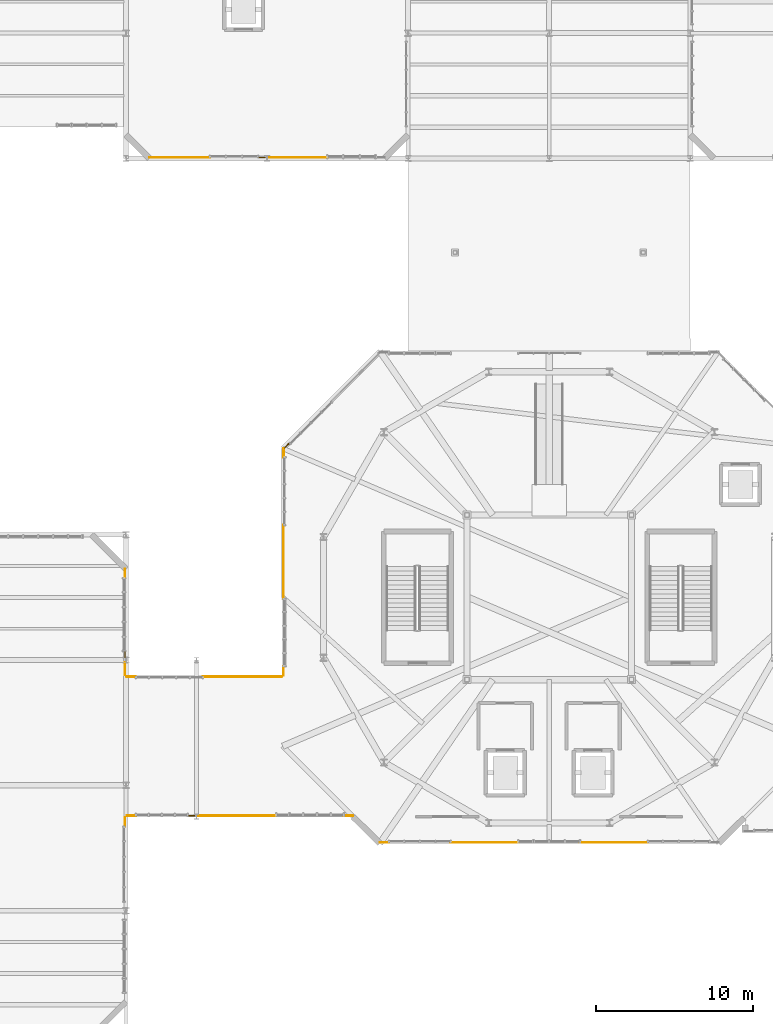
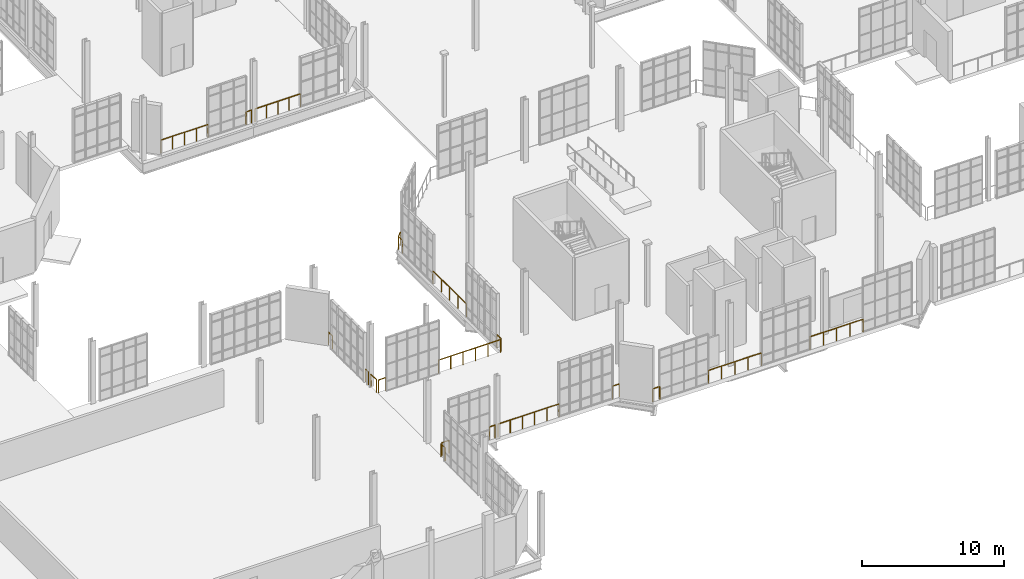
# One storey, part 182 of 189: 20 railings.
"""IFC4 building model written with IfcOpenShell, lengths in metres."""

from ifc_helpers import new_model, si_unit, direction, frame, origin, origin_2d, place, context, subcontext, project, spatial, circle, extrude, material, type_object, element, save


model = new_model("IFC4")

# Units and contexts
model_context = context("Model", 3, precision=1e-05, world=origin(), true_north=direction((0.0, 1.0)))
body_context = subcontext(model_context, "Body", "Model", "MODEL_VIEW")
ifc_project = project(units=[si_unit("LENGTHUNIT", "METRE"), si_unit("AREAUNIT", "SQUARE_METRE"), si_unit("VOLUMEUNIT", "CUBIC_METRE"), si_unit("PLANEANGLEUNIT", "RADIAN"), si_unit("MASSUNIT", "GRAM", prefix="KILO"), si_unit("THERMODYNAMICTEMPERATUREUNIT", "KELVIN"), si_unit("POWERUNIT", "WATT")], contexts=[model_context])

# Site, building, storey
site_placement = place(None, origin())
site = spatial("IfcSite", under=ifc_project, at=site_placement, CompositionType="ELEMENT")
building_placement = place(site_placement, origin())
building = spatial("IfcBuilding", under=site, at=building_placement, Name="Zelmaris Science Centre", CompositionType="ELEMENT")
storey_placement = place(building_placement, origin())
storey = spatial("IfcBuildingStorey", under=building, at=storey_placement, Name="L00", CompositionType="ELEMENT", Elevation=0.0)

# Railings
ifc_material = material(Name="Architectural bronze alloy C28000")
railing_type = type_object("IfcRailingType", Name="Balustrade GD-01 H1120", PredefinedType="BALUSTRADE", material=ifc_material)
railing_1_placement = place(storey_placement, frame((66.840087890625, 64.06005859375, 0.0)))
element("IfcRailing", 1, at=railing_1_placement, inside=storey, type_object=railing_type, Name="L00 Perimeter safety balustrade 2", PredefinedType="BALUSTRADE", context=body_context, shape_type="SweptSolid", body=[
    extrude(circle(Radius=0.02392578125, at=origin_2d()), frame((0.0, 0.0, 1.09619140625), z_axis=(-1.0, 0.0, 0.0), x_axis=(0.0, -1.0, 0.0)), (0.0, 0.0, 1.0), 3.692138671875),
    extrude(circle(Radius=0.02099609375, at=origin_2d()), origin(), (0.0, 0.0, 1.0), 1.072021484375),
    extrude(circle(Radius=0.02099609375, at=origin_2d()), frame((-0.923095703125, 0.0, 0.0)), (0.0, 0.0, 1.0), 1.072021484375),
    extrude(circle(Radius=0.02099609375, at=origin_2d()), frame((-1.84619140625, 0.0, 0.0)), (0.0, 0.0, 1.0), 1.072021484375),
    extrude(circle(Radius=0.02099609375, at=origin_2d()), frame((-2.76904296875, 0.0, 0.0)), (0.0, 0.0, 1.0), 1.072021484375),
    extrude(circle(Radius=0.02099609375, at=origin_2d()), frame((-3.692138671875, 0.0, 0.0)), (0.0, 0.0, 1.0), 1.072021484375),
])
railing_2_placement = place(storey_placement, frame((62.85205078125, 64.06005859375, 0.0)))
element("IfcRailing", 2, at=railing_2_placement, inside=storey, type_object=railing_type, Name="L00 Perimeter safety balustrade 3", PredefinedType="BALUSTRADE", context=body_context, shape_type="SweptSolid", body=[
    extrude(circle(Radius=0.02392578125, at=origin_2d()), frame((0.0, 0.0, 1.09619140625), z_axis=(-1.0, 0.0, 0.0), x_axis=(0.0, -1.0, 0.0)), (0.0, 0.0, 1.0), 0.422119140625),
    extrude(circle(Radius=0.02099609375, at=origin_2d()), origin(), (0.0, 0.0, 1.0), 1.072021484375),
    extrude(circle(Radius=0.02099609375, at=origin_2d()), frame((-0.422119140625, 0.0, 0.0)), (0.0, 0.0, 1.0), 1.072021484375),
])
railing_3_placement = place(storey_placement, frame((59.340087890625, 64.06005859375, 0.0)))
element("IfcRailing", 3, at=railing_3_placement, inside=storey, type_object=railing_type, Name="L00 Perimeter safety balustrade 4", PredefinedType="BALUSTRADE", context=body_context, shape_type="SweptSolid", body=[
    extrude(circle(Radius=0.02392578125, at=origin_2d()), frame((0.0, 0.0, 1.09619140625), z_axis=(-1.0, 0.0, 0.0), x_axis=(0.0, -1.0, 0.0)), (0.0, 0.0, 1.0), 3.840087890625),
    extrude(circle(Radius=0.02099609375, at=origin_2d()), origin(), (0.0, 0.0, 1.0), 1.072021484375),
    extrude(circle(Radius=0.02099609375, at=origin_2d()), frame((-0.9599609375, 0.0, 0.0)), (0.0, 0.0, 1.0), 1.072021484375),
    extrude(circle(Radius=0.02099609375, at=origin_2d()), frame((-1.919921875, 0.0, 0.0)), (0.0, 0.0, 1.0), 1.072021484375),
    extrude(circle(Radius=0.02099609375, at=origin_2d()), frame((-2.880126953125, 0.0, 0.0)), (0.0, 0.0, 1.0), 1.072021484375),
    extrude(circle(Radius=0.02099609375, at=origin_2d()), frame((-3.840087890625, 0.0, 0.0)), (0.0, 0.0, 1.0), 1.072021484375),
])
railing_4_placement = place(storey_placement, frame((53.93994140625, 37.800048828125, 0.0)))
element("IfcRailing", 4, at=railing_4_placement, inside=storey, type_object=railing_type, Name="L00 Perimeter safety balustrade 5", PredefinedType="BALUSTRADE", context=body_context, shape_type="SweptSolid", body=[
    extrude(circle(Radius=0.02392578125, at=origin_2d()), frame((0.0, 0.0, 1.09619140625), z_axis=(0.0, -1.0, 0.0), x_axis=(1.0, 0.0, 0.0)), (0.0, 0.0, 1.0), 0.570068359375),
    extrude(circle(Radius=0.02099609375, at=origin_2d()), origin(), (0.0, 0.0, 1.0), 1.072021484375),
    extrude(circle(Radius=0.02099609375, at=origin_2d()), frame((0.0, -0.570068359375, 0.0)), (0.0, 0.0, 1.0), 1.072021484375),
])
railing_5_placement = place(storey_placement, frame((53.93994140625, 32.570068359375, 0.0)))
element("IfcRailing", 5, at=railing_5_placement, inside=storey, type_object=railing_type, Name="L00 Perimeter safety balustrade 6", PredefinedType="BALUSTRADE", context=body_context, shape_type="SweptSolid", body=[
    extrude(circle(Radius=0.02392578125, at=origin_2d()), frame((0.0, 0.0, 1.09619140625), z_axis=(0.0, -1.0, 0.0), x_axis=(1.0, 0.0, 0.0)), (0.0, 0.0, 1.0), 0.412109375),
    extrude(circle(Radius=0.02099609375, at=origin_2d()), origin(), (0.0, 0.0, 1.0), 1.072021484375),
    extrude(circle(Radius=0.02099609375, at=origin_2d()), frame((0.0, -0.412109375, 0.0)), (0.0, 0.0, 1.0), 1.072021484375),
])
railing_6_placement = place(storey_placement, frame((53.93994140625, 31.842041015625, 0.0)))
element("IfcRailing", 6, at=railing_6_placement, inside=storey, type_object=railing_type, Name="L00 Perimeter safety balustrade 7", PredefinedType="BALUSTRADE", context=body_context, shape_type="SweptSolid", body=[
    extrude(circle(Radius=0.02392578125, at=origin_2d()), frame((0.0, 0.0, 1.09619140625), z_axis=(0.0, -1.0, 0.0), x_axis=(1.0, 0.0, 0.0)), (0.0, 0.0, 1.0), 0.781982421875),
    extrude(circle(Radius=0.02099609375, at=origin_2d()), origin(), (0.0, 0.0, 1.0), 1.072021484375),
    extrude(circle(Radius=0.02099609375, at=origin_2d()), frame((0.0, -0.781982421875, 0.0)), (0.0, 0.0, 1.0), 1.072021484375),
])
railing_7_placement = place(storey_placement, frame((54.04833984375, 30.941162109375, 0.0)))
element("IfcRailing", 7, at=railing_7_placement, inside=storey, type_object=railing_type, Name="L00 Perimeter safety balustrade 8", PredefinedType="BALUSTRADE", context=body_context, shape_type="SweptSolid", body=[
    extrude(circle(Radius=0.02392578125, at=origin_2d()), frame((0.0, 0.0, 1.09619140625), z_axis=(1.0, 0.0, 0.0), x_axis=(0.0, 1.0, 0.0)), (0.0, 0.0, 1.0), 0.570068359375),
    extrude(circle(Radius=0.02099609375, at=origin_2d()), origin(), (0.0, 0.0, 1.0), 1.072021484375),
    extrude(circle(Radius=0.02099609375, at=origin_2d()), frame((0.570068359375, 0.0, 0.0)), (0.0, 0.0, 1.0), 1.072021484375),
])
railing_8_placement = place(storey_placement, frame((58.904052734375, 30.940673828125, 0.0)))
element("IfcRailing", 8, at=railing_8_placement, inside=storey, type_object=railing_type, Name="L00 Perimeter safety balustrade 9", PredefinedType="BALUSTRADE", context=body_context, shape_type="SweptSolid", body=[
    extrude(circle(Radius=0.02392578125, at=origin_2d()), frame((0.0, 0.0, 1.09619140625), z_axis=(0.999999989424, -0.000145440441, 0.0), x_axis=(0.000145440441, 0.999999989424, 0.0)), (0.0, 0.0, 1.0), 5.035888671875),
    extrude(circle(Radius=0.02099609375, at=origin_2d()), origin(), (0.0, 0.0, 1.0), 1.072021484375),
    extrude(circle(Radius=0.02099609375, at=origin_2d()), frame((1.007080078125, -0.000244140625, 0.0)), (0.0, 0.0, 1.0), 1.072021484375),
    extrude(circle(Radius=0.02099609375, at=origin_2d()), frame((2.014404296875, -0.000244140625, 0.0)), (0.0, 0.0, 1.0), 1.072021484375),
    extrude(circle(Radius=0.02099609375, at=origin_2d()), frame((3.021484375, -0.00048828125, 0.0)), (0.0, 0.0, 1.0), 1.072021484375),
    extrude(circle(Radius=0.02099609375, at=origin_2d()), frame((4.02880859375, -0.00048828125, 0.0)), (0.0, 0.0, 1.0), 1.072021484375),
    extrude(circle(Radius=0.02099609375, at=origin_2d()), frame((5.035888671875, -0.000732421875, 0.0)), (0.0, 0.0, 1.0), 1.072021484375),
])
railing_9_placement = place(storey_placement, frame((64.04638671875, 31.02197265625, 0.0)))
element("IfcRailing", 9, at=railing_9_placement, inside=storey, type_object=railing_type, Name="L00 Perimeter safety balustrade 10", PredefinedType="BALUSTRADE", context=body_context, shape_type="SweptSolid", body=[
    extrude(circle(Radius=0.02392578125, at=origin_2d()), frame((0.0, 0.0, 1.09619140625), z_axis=(0.000856897715, 0.999999632863, 0.0), x_axis=(-0.999999632863, 0.000856897715, 0.0)), (0.0, 0.0, 1.0), 0.56982421875),
    extrude(circle(Radius=0.02099609375, at=origin_2d()), origin(), (0.0, 0.0, 1.0), 1.072021484375),
    extrude(circle(Radius=0.02099609375, at=origin_2d()), frame((0.00048828125, 0.56982421875, 0.0)), (0.0, 0.0, 1.0), 1.072021484375),
])
railing_10_placement = place(storey_placement, frame((64.051025390625, 35.91796875, 0.0)))
element("IfcRailing", 10, at=railing_10_placement, inside=storey, type_object=railing_type, Name="L00 Perimeter safety balustrade 11", PredefinedType="BALUSTRADE", context=body_context, shape_type="SweptSolid", body=[
    extrude(circle(Radius=0.02392578125, at=origin_2d()), frame((0.0, 0.0, 1.09619140625), z_axis=(0.000937792648, 0.999999560272, 0.0), x_axis=(-0.999999560272, 0.000937792648, 0.0)), (0.0, 0.0, 1.0), 4.68603515625),
    extrude(circle(Radius=0.02099609375, at=origin_2d()), origin(), (0.0, 0.0, 1.0), 1.072021484375),
    extrude(circle(Radius=0.02099609375, at=origin_2d()), frame((0.0009765625, 1.17138671875, 0.0)), (0.0, 0.0, 1.0), 1.072021484375),
    extrude(circle(Radius=0.02099609375, at=origin_2d()), frame((0.002197265625, 2.343017578125, 0.0)), (0.0, 0.0, 1.0), 1.072021484375),
    extrude(circle(Radius=0.02099609375, at=origin_2d()), frame((0.00341796875, 3.5146484375, 0.0)), (0.0, 0.0, 1.0), 1.072021484375),
    extrude(circle(Radius=0.02099609375, at=origin_2d()), frame((0.00439453125, 4.68603515625, 0.0)), (0.0, 0.0, 1.0), 1.072021484375),
])
railing_11_placement = place(storey_placement, frame((64.0595703125, 44.929931640625, 0.0)))
element("IfcRailing", 11, at=railing_11_placement, inside=storey, type_object=railing_type, Name="L00 Perimeter safety balustrade 12", PredefinedType="BALUSTRADE", context=body_context, shape_type="SweptSolid", body=[
    extrude(circle(Radius=0.02392578125, at=origin_2d()), frame((0.0, 0.0, 1.09619140625), z_axis=(0.000856530735, 0.999999633177, 0.0), x_axis=(-0.999999633177, 0.000856530735, 0.0)), (0.0, 0.0, 1.0), 0.570068359375),
    extrude(circle(Radius=0.02099609375, at=origin_2d()), origin(), (0.0, 0.0, 1.0), 1.072021484375),
    extrude(circle(Radius=0.02099609375, at=origin_2d()), frame((0.00048828125, 0.570068359375, 0.0)), (0.0, 0.0, 1.0), 1.072021484375),
])
railing_12_placement = place(storey_placement, frame((64.04248046875, 45.45751953125, 0.0)))
element("IfcRailing", 12, at=railing_12_placement, inside=storey, type_object=railing_type, Name="L00 Perimeter safety balustrade 13", PredefinedType="BALUSTRADE", context=body_context, shape_type="SweptSolid", body=[
    extrude(circle(Radius=0.02392578125, at=origin_2d()), frame((0.0, 0.0, 1.09619140625), z_axis=(0.707106781187, 0.707106781187, 0.0), x_axis=(-0.707106781187, 0.707106781187, 0.0)), (0.0, 0.0, 1.0), 0.570068359375),
    extrude(circle(Radius=0.02099609375, at=origin_2d()), origin(), (0.0, 0.0, 1.0), 1.072021484375),
    extrude(circle(Radius=0.02099609375, at=origin_2d()), frame((0.403076171875, 0.403076171875, 0.0)), (0.0, 0.0, 1.0), 1.072021484375),
])
for number, where, name in (
    (13, (87.2822265625, 20.360107421875, 0.0), "L00 Perimeter safety balustrade 42"),
    (14, (79.02685546875, 20.360107421875, 0.0), "L00 Perimeter safety balustrade 43"),
):
    element("IfcRailing", number, at=place(storey_placement, frame(where)), inside=storey, type_object=railing_type, Name=name, PredefinedType="BALUSTRADE", context=body_context, shape_type="SweptSolid", body=[
        extrude(circle(Radius=0.02392578125, at=origin_2d()), frame((0.0, 0.0, 1.09619140625), z_axis=(-1.0, 0.0, 0.0), x_axis=(0.0, -1.0, 0.0)), (0.0, 0.0, 1.0), 4.3076171875),
        extrude(circle(Radius=0.02099609375, at=origin_2d()), origin(), (0.0, 0.0, 1.0), 1.072021484375),
        extrude(circle(Radius=0.02099609375, at=origin_2d()), frame((-1.076904296875, 0.0, 0.0)), (0.0, 0.0, 1.0), 1.072021484375),
        extrude(circle(Radius=0.02099609375, at=origin_2d()), frame((-2.15380859375, 0.0, 0.0)), (0.0, 0.0, 1.0), 1.072021484375),
        extrude(circle(Radius=0.02099609375, at=origin_2d()), frame((-3.230712890625, 0.0, 0.0)), (0.0, 0.0, 1.0), 1.072021484375),
        extrude(circle(Radius=0.02099609375, at=origin_2d()), frame((-4.3076171875, 0.0, 0.0)), (0.0, 0.0, 1.0), 1.072021484375),
    ])
for number, where, name in (
    (15, (70.771484375, 20.360107421875, 0.0), "L00 Perimeter safety balustrade 44"),
    (16, (68.48095703125, 22.059814453125, 0.0), "L00 Perimeter safety balustrade 45"),
):
    element("IfcRailing", number, at=place(storey_placement, frame(where)), inside=storey, type_object=railing_type, Name=name, PredefinedType="BALUSTRADE", context=body_context, shape_type="SweptSolid", body=[
        extrude(circle(Radius=0.02392578125, at=origin_2d()), frame((0.0, 0.0, 1.09619140625), z_axis=(-1.0, 0.0, 0.0), x_axis=(0.0, -1.0, 0.0)), (0.0, 0.0, 1.0), 0.570068359375),
        extrude(circle(Radius=0.02099609375, at=origin_2d()), origin(), (0.0, 0.0, 1.0), 1.072021484375),
        extrude(circle(Radius=0.02099609375, at=origin_2d()), frame((-0.570068359375, 0.0, 0.0)), (0.0, 0.0, 1.0), 1.072021484375),
    ])
railing_13_placement = place(storey_placement, frame((63.58056640625, 22.059814453125, 0.0)))
element("IfcRailing", 17, at=railing_13_placement, inside=storey, type_object=railing_type, Name="L00 Perimeter safety balustrade 46", PredefinedType="BALUSTRADE", context=body_context, shape_type="SweptSolid", body=[
    extrude(circle(Radius=0.02392578125, at=origin_2d()), frame((0.0, 0.0, 1.09619140625), z_axis=(-1.0, 0.0, 0.0), x_axis=(0.0, -1.0, 0.0)), (0.0, 0.0, 1.0), 4.95703125),
    extrude(circle(Radius=0.02099609375, at=origin_2d()), origin(), (0.0, 0.0, 1.0), 1.072021484375),
    extrude(circle(Radius=0.02099609375, at=origin_2d()), frame((-0.991455078125, 0.0, 0.0)), (0.0, 0.0, 1.0), 1.072021484375),
    extrude(circle(Radius=0.02099609375, at=origin_2d()), frame((-1.98291015625, 0.0, 0.0)), (0.0, 0.0, 1.0), 1.072021484375),
    extrude(circle(Radius=0.02099609375, at=origin_2d()), frame((-2.97412109375, 0.0, 0.0)), (0.0, 0.0, 1.0), 1.072021484375),
    extrude(circle(Radius=0.02099609375, at=origin_2d()), frame((-3.965576171875, 0.0, 0.0)), (0.0, 0.0, 1.0), 1.072021484375),
    extrude(circle(Radius=0.02099609375, at=origin_2d()), frame((-4.95703125, 0.0, 0.0)), (0.0, 0.0, 1.0), 1.072021484375),
])
railing_14_placement = place(storey_placement, frame((58.37646484375, 22.059814453125, 0.0)))
element("IfcRailing", 18, at=railing_14_placement, inside=storey, type_object=railing_type, Name="L00 Perimeter safety balustrade 47", PredefinedType="BALUSTRADE", context=body_context, shape_type="SweptSolid", body=[
    extrude(circle(Radius=0.02392578125, at=origin_2d()), frame((0.0, 0.0, 1.09619140625), z_axis=(-1.0, 0.0, 0.0), x_axis=(0.0, -1.0, 0.0)), (0.0, 0.0, 1.0), 0.446533203125),
    extrude(circle(Radius=0.02099609375, at=origin_2d()), origin(), (0.0, 0.0, 1.0), 1.072021484375),
    extrude(circle(Radius=0.02099609375, at=origin_2d()), frame((-0.446533203125, 0.0, 0.0)), (0.0, 0.0, 1.0), 1.072021484375),
])
railing_15_placement = place(storey_placement, frame((54.6298828125, 22.06005859375, 0.0)))
element("IfcRailing", 19, at=railing_15_placement, inside=storey, type_object=railing_type, Name="L00 Perimeter safety balustrade 48", PredefinedType="BALUSTRADE", context=body_context, shape_type="SweptSolid", body=[
    extrude(circle(Radius=0.02392578125, at=origin_2d()), frame((0.0, 0.0, 1.09619140625), z_axis=(-1.0, 0.0, 0.0), x_axis=(0.0, -1.0, 0.0)), (0.0, 0.0, 1.0), 0.56982421875),
    extrude(circle(Radius=0.02099609375, at=origin_2d()), origin(), (0.0, 0.0, 1.0), 1.072021484375),
    extrude(circle(Radius=0.02099609375, at=origin_2d()), frame((-0.56982421875, 0.0, 0.0)), (0.0, 0.0, 1.0), 1.072021484375),
])
railing_16_placement = place(storey_placement, frame((53.93994140625, 21.93994140625, 0.0)))
element("IfcRailing", 20, at=railing_16_placement, inside=storey, type_object=railing_type, Name="L00 Perimeter safety balustrade 49", PredefinedType="BALUSTRADE", context=body_context, shape_type="SweptSolid", body=[
    extrude(circle(Radius=0.02392578125, at=origin_2d()), frame((0.0, 0.0, 1.09619140625), z_axis=(0.0, -1.0, 0.0), x_axis=(1.0, 0.0, 0.0)), (0.0, 0.0, 1.0), 0.56982421875),
    extrude(circle(Radius=0.02099609375, at=origin_2d()), origin(), (0.0, 0.0, 1.0), 1.072021484375),
    extrude(circle(Radius=0.02099609375, at=origin_2d()), frame((0.0, -0.56982421875, 0.0)), (0.0, 0.0, 1.0), 1.072021484375),
])

save(model, "model.ifc")
